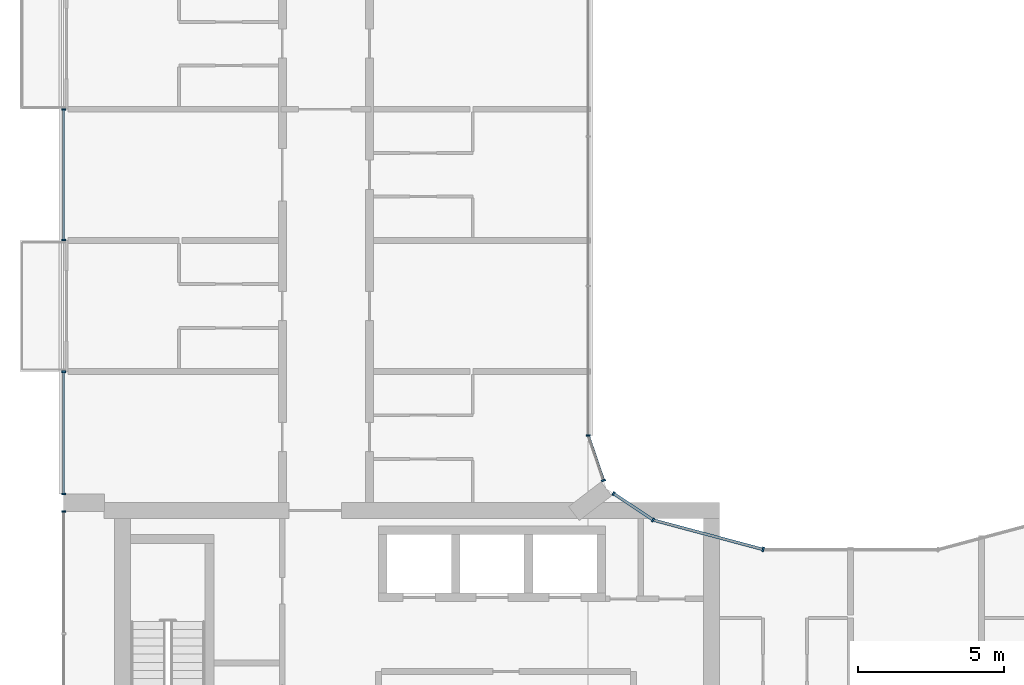
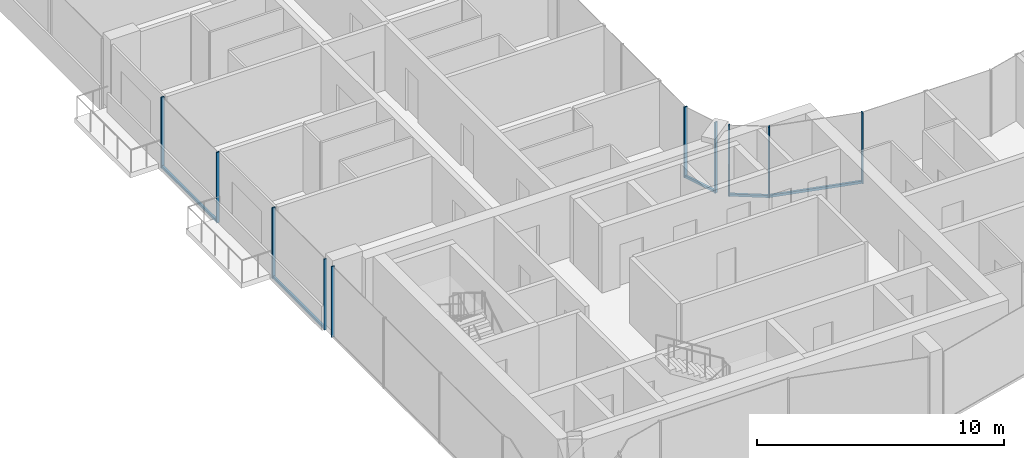
# One storey, part 4 of 16: 15 members, 7 elements without a shape of their own.
"""IFC4 building model written with IfcOpenShell, lengths in metres."""

from ifc_helpers import new_model, si_unit, direction, frame, origin, origin_2d, place, context, subcontext, project, spatial, rectangle, extrude, material, layer, layer_set, material_profile, profile_set, type_object, element, aggregate, save


model = new_model("IFC4")

# Units and contexts
model_context = context("Model", 3, precision=1e-05, world=origin(), true_north=direction((0.0, 1.0)))
body_context = subcontext(model_context, "Body", "Model", "MODEL_VIEW")
ifc_project = project(units=[si_unit("LENGTHUNIT", "METRE"), si_unit("AREAUNIT", "SQUARE_METRE"), si_unit("VOLUMEUNIT", "CUBIC_METRE"), si_unit("PLANEANGLEUNIT", "RADIAN"), si_unit("MASSUNIT", "GRAM", prefix="KILO")], contexts=[model_context])

# Site, building, storey
site_placement = place(None, origin())
site = spatial("IfcSite", under=ifc_project, at=site_placement, CompositionType="ELEMENT")
building_placement = place(site_placement, origin())
building = spatial("IfcBuilding", under=site, at=building_placement, Name="Plateau Cross Towers", CompositionType="ELEMENT")
storey_placement = place(building_placement, frame((0.0, 0.0, 211.89990234375)))
storey = spatial("IfcBuildingStorey", under=building, at=storey_placement, Name="L55", CompositionType="ELEMENT", Elevation=211.89990234375)

# Curtain wall, members
ifc_material_1 = material(Name="Dark low-iron glass", Category="glass")
ifc_layer_1 = layer(ifc_material_1, 0.239990234375)
ifc_layer_set_1 = layer_set([ifc_layer_1], Name="Dark low-iron glass")
curtain_wall_type_1 = type_object("IfcCurtainWallType", Name="Curtain wall flush unitised CW-B", PredefinedType="NOTDEFINED", material=ifc_layer_set_1)
curtain_wall_1_placement = place(storey_placement, origin())
curtain_wall_1 = element("IfcCurtainWall", 1, at=curtain_wall_1_placement, inside=storey, type_object=curtain_wall_type_1, Name="ENV/A/L55/A202_174", PredefinedType="NOTDEFINED")
ifc_material_2 = material(Name="Black anodised aluminium", Category="aluminium")
ifc_material_profile_1 = material_profile(ifc_material_2, rectangle(XDim=0.06005859375, YDim=0.139892578125, at=origin_2d()), Name="MULLION 60x140")
ifc_profile_set_1 = profile_set([ifc_material_profile_1], Name="Black anodised aluminium")
member_type_1 = type_object("IfcMemberType", Name="Mullion 60x140 flush unitised", PredefinedType="MULLION", material=ifc_profile_set_1)
member_1_placement = place(storey_placement, frame((20.223876953125, 17.404296875, -0.25), z_axis=(0.0, 0.0, 1.0), x_axis=(-0.831521253329, 0.555492938984, 0.0)))
member_1 = element("IfcMember", 2, at=member_1_placement, type_object=member_type_1, Name="CW-B mullion 1", PredefinedType="MULLION", context=body_context, shape_type="SweptSolid", body=[
    extrude(rectangle(XDim=0.06005859375, YDim=0.139892578125, at=origin_2d()), origin(), (0.0, 0.0, 1.0), 3.5),
])
member_2_placement = place(storey_placement, frame((18.86962890625, 18.30908203125, -0.25), z_axis=(0.0, 0.0, 1.0), x_axis=(-0.831521253329, 0.555492938984, 0.0)))
member_2 = element("IfcMember", 3, at=member_2_placement, type_object=member_type_1, Name="CW-B mullion 2", PredefinedType="MULLION", context=body_context, shape_type="SweptSolid", body=[
    extrude(rectangle(XDim=0.06005859375, YDim=0.139892578125, at=origin_2d()), origin(), (0.0, 0.0, 1.0), 3.5),
])

# Curtain wall, member
curtain_wall_2_placement = place(storey_placement, origin())
curtain_wall_2 = element("IfcCurtainWall", 4, at=curtain_wall_2_placement, inside=storey, type_object=curtain_wall_type_1, Name="ENV/A/L55/A185_188", PredefinedType="NOTDEFINED")
member_3_placement = place(storey_placement, frame((18.523681640625, 18.760009765625, -0.25), z_axis=(0.0, 0.0, 1.0), x_axis=(-0.321469161574, 0.94692004845, 0.0)))
member_3 = element("IfcMember", 5, at=member_3_placement, type_object=member_type_1, Name="CW-B mullion 1", PredefinedType="MULLION", context=body_context, shape_type="SweptSolid", body=[
    extrude(rectangle(XDim=0.06005859375, YDim=0.139892578125, at=origin_2d()), origin(), (0.0, 0.0, 1.0), 3.5),
])

curtain_wall_3_placement = place(storey_placement, origin())
curtain_wall_3 = element("IfcCurtainWall", 6, at=curtain_wall_3_placement, inside=storey, type_object=curtain_wall_type_1, Name="ENV/A/L55/A180_203", PredefinedType="NOTDEFINED")
member_4_placement = place(storey_placement, frame((18.0, 20.30224609375, -0.25), z_axis=(0.0, 0.0, 1.0), x_axis=(0.0, 1.0, 0.0)))
member_4 = element("IfcMember", 7, at=member_4_placement, type_object=member_type_1, Name="CW-B mullion 1", PredefinedType="MULLION", context=body_context, shape_type="SweptSolid", body=[
    extrude(rectangle(XDim=0.06005859375, YDim=0.139892578125, at=origin_2d()), origin(), (0.0, 0.0, 1.0), 3.5),
])
aggregate(curtain_wall_3, [member_4])

# Curtain wall, members
curtain_wall_4_placement = place(storey_placement, origin())
curtain_wall_4 = element("IfcCurtainWall", 8, at=curtain_wall_4_placement, inside=storey, type_object=curtain_wall_type_1, Name="ENV/A/L55/A0_315", PredefinedType="NOTDEFINED")
member_5_placement = place(storey_placement, frame((0.0, 31.489990234375, -0.25), z_axis=(0.0, 0.0, 1.0), x_axis=(0.0, -1.0, 0.0)))
member_5 = element("IfcMember", 9, at=member_5_placement, type_object=member_type_1, Name="CW-B mullion 1", PredefinedType="MULLION", context=body_context, shape_type="SweptSolid", body=[
    extrude(rectangle(XDim=0.06005859375, YDim=0.139892578125, at=origin_2d()), origin(), (0.0, 0.0, 1.0), 3.5),
])
member_6_placement = place(storey_placement, frame((0.0, 27.010009765625, -0.25), z_axis=(0.0, 0.0, 1.0), x_axis=(0.0, -1.0, 0.0)))
member_6 = element("IfcMember", 10, at=member_6_placement, type_object=member_type_1, Name="CW-B mullion 2", PredefinedType="MULLION", context=body_context, shape_type="SweptSolid", body=[
    extrude(rectangle(XDim=0.06005859375, YDim=0.139892578125, at=origin_2d()), origin(), (0.0, 0.0, 1.0), 3.5),
])

curtain_wall_5_placement = place(storey_placement, origin())
curtain_wall_5 = element("IfcCurtainWall", 11, at=curtain_wall_5_placement, inside=storey, type_object=curtain_wall_type_1, Name="ENV/A/L55/A0_225", PredefinedType="NOTDEFINED")
member_7_placement = place(storey_placement, frame((0.0, 22.489990234375, -0.25), z_axis=(0.0, 0.0, 1.0), x_axis=(0.0, -1.0, 0.0)))
member_7 = element("IfcMember", 12, at=member_7_placement, type_object=member_type_1, Name="CW-B mullion 1", PredefinedType="MULLION", context=body_context, shape_type="SweptSolid", body=[
    extrude(rectangle(XDim=0.06005859375, YDim=0.139892578125, at=origin_2d()), origin(), (0.0, 0.0, 1.0), 3.5),
])
member_8_placement = place(storey_placement, frame((0.0, 18.300048828125, -0.25), z_axis=(0.0, 0.0, 1.0), x_axis=(0.0, -1.0, 0.0)))
member_8 = element("IfcMember", 13, at=member_8_placement, type_object=member_type_1, Name="CW-B mullion 2", PredefinedType="MULLION", context=body_context, shape_type="SweptSolid", body=[
    extrude(rectangle(XDim=0.06005859375, YDim=0.139892578125, at=origin_2d()), origin(), (0.0, 0.0, 1.0), 3.5),
])

# Curtain wall, member
curtain_wall_6_placement = place(storey_placement, origin())
curtain_wall_6 = element("IfcCurtainWall", 14, at=curtain_wall_6_placement, inside=storey, type_object=curtain_wall_type_1, Name="ENV/A/L55/A0_177", PredefinedType="NOTDEFINED")
member_9_placement = place(storey_placement, frame((0.0, 17.699951171875, -0.25), z_axis=(0.0, 0.0, 1.0), x_axis=(0.0, -1.0, 0.0)))
member_9 = element("IfcMember", 15, at=member_9_placement, type_object=member_type_1, Name="CW-B mullion 1", PredefinedType="MULLION", context=body_context, shape_type="SweptSolid", body=[
    extrude(rectangle(XDim=0.06005859375, YDim=0.139892578125, at=origin_2d()), origin(), (0.0, 0.0, 1.0), 3.5),
])
aggregate(curtain_wall_6, [member_9])

ifc_layer_2 = layer(ifc_material_1, 0.260009765625)
ifc_layer_set_2 = layer_set([ifc_layer_2], Name="Dark low-iron glass")
curtain_wall_type_2 = type_object("IfcCurtainWallType", Name="Curtain wall fluted unitised CW-A", PredefinedType="NOTDEFINED", material=ifc_layer_set_2)
curtain_wall_7_placement = place(storey_placement, origin())
curtain_wall_7 = element("IfcCurtainWall", 16, at=curtain_wall_7_placement, inside=storey, type_object=curtain_wall_type_2, Name="ENV/A/L55/A240_164", PredefinedType="NOTDEFINED")
ifc_material_profile_2 = material_profile(ifc_material_2, rectangle(XDim=0.06005859375, YDim=0.159912109375, at=origin_2d()), Name="MULLION 60x160")
ifc_profile_set_2 = profile_set([ifc_material_profile_2], Name="Black anodised aluminium")
member_type_2 = type_object("IfcMemberType", Name="Mullion 60x160 fluted unitised", PredefinedType="MULLION", material=ifc_profile_set_2)
member_10_placement = place(storey_placement, frame((24.0, 16.39306640625, -0.25), z_axis=(0.0, 0.0, 1.0), x_axis=(-0.965957995816, 0.258698956933, 0.0)))
member_10 = element("IfcMember", 17, at=member_10_placement, type_object=member_type_2, Name="CW-A mullion 1", PredefinedType="MULLION", context=body_context, shape_type="SweptSolid", body=[
    extrude(rectangle(XDim=0.06005859375, YDim=0.159912109375, at=origin_2d()), origin(), (0.0, 0.0, 1.0), 3.5),
])

# Member
ifc_material_profile_3 = material_profile(ifc_material_2, rectangle(XDim=0.10009765625, YDim=0.1201171875, at=origin_2d()), Name="TRANSOM 100x120")
ifc_profile_set_3 = profile_set([ifc_material_profile_3], Name="Black anodised aluminium")
member_type_3 = type_object("IfcMemberType", Name="Transom 100x120 flush unitised", PredefinedType="USERDEFINED", material=ifc_profile_set_3)
member_11_placement = place(storey_placement, frame((20.223876953125, 17.404296875, -0.18994140625), z_axis=(-0.831496402487, 0.555530136582, 0.0), x_axis=(-0.555530136582, -0.831496402487, 0.0)))
member_11 = element("IfcMember", 18, at=member_11_placement, type_object=member_type_3, Name="CW-B transom", ObjectType="TRANSOM", PredefinedType="USERDEFINED", context=body_context, shape_type="SweptSolid", body=[
    extrude(rectangle(XDim=0.10009765625, YDim=0.1201171875, at=origin_2d()), origin(), (0.0, 0.0, 1.0), 1.628662109375),
])

aggregate(curtain_wall_1, [member_1, member_2, member_11])

member_12_placement = place(storey_placement, frame((18.523681640625, 18.760009765625, -0.18994140625), z_axis=(-0.321529174838, 0.946899672472, 0.0), x_axis=(-0.946899672472, -0.321529174838, 0.0)))
member_12 = element("IfcMember", 19, at=member_12_placement, type_object=member_type_3, Name="CW-B transom", ObjectType="TRANSOM", PredefinedType="USERDEFINED", context=body_context, shape_type="SweptSolid", body=[
    extrude(rectangle(XDim=0.10009765625, YDim=0.1201171875, at=origin_2d()), origin(), (0.0, 0.0, 1.0), 1.628662109375),
])

aggregate(curtain_wall_2, [member_3, member_12])

member_13_placement = place(storey_placement, frame((0.0, 31.489990234375, -0.18994140625), z_axis=(0.0, -1.0, 0.0), x_axis=(1.0, 0.0, 0.0)))
member_13 = element("IfcMember", 20, at=member_13_placement, type_object=member_type_3, Name="CW-B transom", ObjectType="TRANSOM", PredefinedType="USERDEFINED", context=body_context, shape_type="SweptSolid", body=[
    extrude(rectangle(XDim=0.10009765625, YDim=0.1201171875, at=origin_2d()), origin(), (0.0, 0.0, 1.0), 4.47998046875),
])

aggregate(curtain_wall_4, [member_5, member_6, member_13])

member_14_placement = place(storey_placement, frame((0.0, 22.489990234375, -0.18994140625), z_axis=(0.0, -1.0, 0.0), x_axis=(1.0, 0.0, 0.0)))
member_14 = element("IfcMember", 21, at=member_14_placement, type_object=member_type_3, Name="CW-B transom", ObjectType="TRANSOM", PredefinedType="USERDEFINED", context=body_context, shape_type="SweptSolid", body=[
    extrude(rectangle(XDim=0.10009765625, YDim=0.1201171875, at=origin_2d()), origin(), (0.0, 0.0, 1.0), 4.18994140625),
])

aggregate(curtain_wall_5, [member_7, member_8, member_14])

ifc_material_profile_4 = material_profile(ifc_material_2, rectangle(XDim=0.10009765625, YDim=0.1201171875, at=origin_2d()), Name="TRANSOM 100x120")
ifc_profile_set_4 = profile_set([ifc_material_profile_4], Name="Black anodised aluminium")
member_type_4 = type_object("IfcMemberType", Name="Transom 100x120 fluted unitised", PredefinedType="USERDEFINED", material=ifc_profile_set_4)
member_15_placement = place(storey_placement, frame((24.0, 16.39306640625, -0.18994140625), z_axis=(-0.965962822393, 0.25868093427, 0.0), x_axis=(-0.25868093427, -0.965962822393, 0.0)))
member_15 = element("IfcMember", 22, at=member_15_placement, type_object=member_type_4, Name="CW-A transom", ObjectType="TRANSOM", PredefinedType="USERDEFINED", context=body_context, shape_type="SweptSolid", body=[
    extrude(rectangle(XDim=0.10009765625, YDim=0.1201171875, at=origin_2d()), origin(), (0.0, 0.0, 1.0), 3.9091796875),
])

aggregate(curtain_wall_7, [member_10, member_15])

save(model, "model.ifc")
